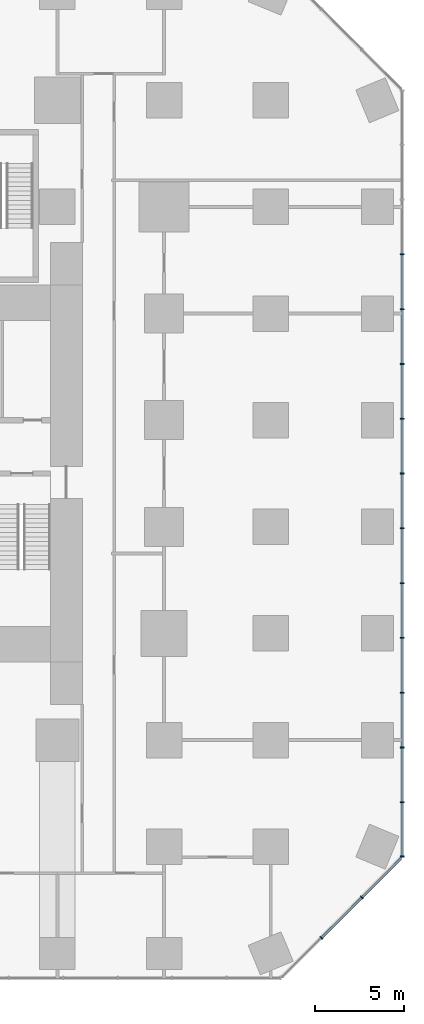
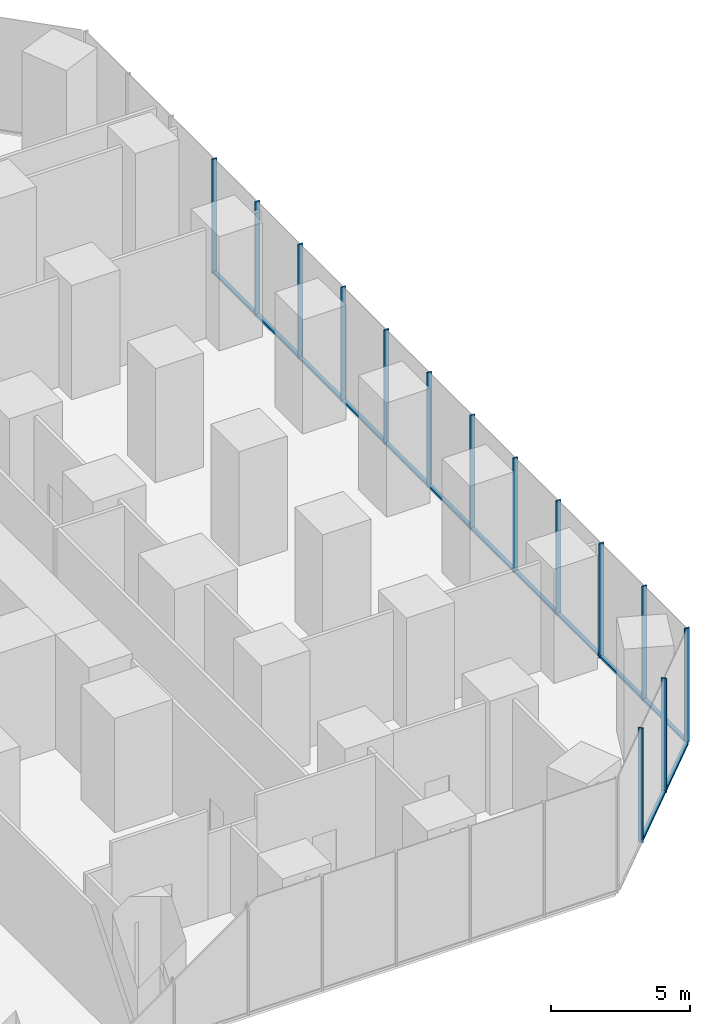
# One storey, part 7 of 15: 27 members, 2 elements without a shape of their own.
"""IFC4 building model written with IfcOpenShell, lengths in metres."""

from ifc_helpers import new_model, si_unit, direction, frame, origin, origin_2d, place, context, subcontext, project, spatial, rectangle, extrude, material, layer, layer_set, material_profile, profile_set, type_object, element, aggregate, save


model = new_model("IFC4")

# Units and contexts
model_context = context("Model", 3, precision=1e-05, world=origin(), true_north=direction((0.0, 1.0)))
body_context = subcontext(model_context, "Body", "Model", "MODEL_VIEW")
ifc_project = project(units=[si_unit("LENGTHUNIT", "METRE"), si_unit("AREAUNIT", "SQUARE_METRE"), si_unit("VOLUMEUNIT", "CUBIC_METRE"), si_unit("PLANEANGLEUNIT", "RADIAN"), si_unit("MASSUNIT", "GRAM", prefix="KILO")], contexts=[model_context])

# Site, building, storey
site_placement = place(None, origin())
site = spatial("IfcSite", under=ifc_project, at=site_placement, CompositionType="ELEMENT")
building_placement = place(site_placement, origin())
building = spatial("IfcBuilding", under=site, at=building_placement, Name="Highveld Stack Headquarters", CompositionType="ELEMENT")
storey_placement = place(building_placement, frame((0.0, 0.0, 6.0)))
storey = spatial("IfcBuildingStorey", under=building, at=storey_placement, Name="L01", CompositionType="ELEMENT", Elevation=6.0)

# Curtain wall, members
ifc_material_1 = material(Name="Aluminium bronze anodised", Category="aluminium")
ifc_layer = layer(ifc_material_1, 0.199951171875)
ifc_layer_set = layer_set([ifc_layer], Name="Aluminium bronze anodised")
curtain_wall_type = type_object("IfcCurtainWallType", Name="CW3 PODIUM STICK CURTAIN WALL", PredefinedType="NOTDEFINED", material=ifc_layer_set)
curtain_wall_1_placement = place(storey_placement, origin())
curtain_wall_1 = element("IfcCurtainWall", 1, at=curtain_wall_1_placement, inside=storey, type_object=curtain_wall_type, Name="Curtain wall CW3 L01 SE", PredefinedType="NOTDEFINED")
ifc_material_2 = material(Name="Aluminium bronze anodised", Category="aluminium")
ifc_material_profile_1 = material_profile(ifc_material_2, rectangle(XDim=0.199951171875, YDim=0.06494140625, at=origin_2d()), Name="CW3 MULLION 65x200")
ifc_profile_set_1 = profile_set([ifc_material_profile_1], Name="Aluminium bronze anodised")
member_type_1 = type_object("IfcMemberType", Name="CW3 MULLION 65x200", PredefinedType="MULLION", material=ifc_profile_set_1)
member_1_placement = place(storey_placement, frame((32.853271484375, -23.126708984375, 0.0), z_axis=(0.0, 0.0, 1.0), x_axis=(-0.707106781187, 0.707106781187, 0.0)))
member_1 = element("IfcMember", 2, at=member_1_placement, type_object=member_type_1, Name="CW3 mullion L01 1", PredefinedType="MULLION", context=body_context, shape_type="SweptSolid", body=[
    extrude(rectangle(XDim=0.199951171875, YDim=0.06494140625, at=origin_2d()), origin(), (0.0, 0.0, 1.0), 5.0),
])
member_2_placement = place(storey_placement, frame((35.126708984375, -20.853271484375, 0.0), z_axis=(0.0, 0.0, 1.0), x_axis=(-0.707106781187, 0.707106781187, 0.0)))
member_2 = element("IfcMember", 3, at=member_2_placement, type_object=member_type_1, Name="CW3 mullion L01 2", PredefinedType="MULLION", context=body_context, shape_type="SweptSolid", body=[
    extrude(rectangle(XDim=0.199951171875, YDim=0.06494140625, at=origin_2d()), origin(), (0.0, 0.0, 1.0), 5.0),
])

curtain_wall_2_placement = place(storey_placement, origin())
curtain_wall_2 = element("IfcCurtainWall", 4, at=curtain_wall_2_placement, inside=storey, type_object=curtain_wall_type, Name="Curtain wall CW3 L01 E", PredefinedType="NOTDEFINED")
member_3_placement = place(storey_placement, frame((37.39990234375, -18.54736328125, 0.0), z_axis=(0.0, 0.0, 1.0), x_axis=(-1.0, 0.0, 0.0)))
member_3 = element("IfcMember", 5, at=member_3_placement, type_object=member_type_1, Name="CW3 mullion L01 1", PredefinedType="MULLION", context=body_context, shape_type="SweptSolid", body=[
    extrude(rectangle(XDim=0.199951171875, YDim=0.06494140625, at=origin_2d()), origin(), (0.0, 0.0, 1.0), 5.0),
])
member_4_placement = place(storey_placement, frame((37.39990234375, -15.4970703125, 0.0), z_axis=(0.0, 0.0, 1.0), x_axis=(-1.0, 0.0, 0.0)))
member_4 = element("IfcMember", 6, at=member_4_placement, type_object=member_type_1, Name="CW3 mullion L01 2", PredefinedType="MULLION", context=body_context, shape_type="SweptSolid", body=[
    extrude(rectangle(XDim=0.199951171875, YDim=0.06494140625, at=origin_2d()), origin(), (0.0, 0.0, 1.0), 5.0),
])
member_5_placement = place(storey_placement, frame((37.39990234375, -12.414306640625, 0.0), z_axis=(0.0, 0.0, 1.0), x_axis=(-1.0, 0.0, 0.0)))
member_5 = element("IfcMember", 7, at=member_5_placement, type_object=member_type_1, Name="CW3 mullion L01 3", PredefinedType="MULLION", context=body_context, shape_type="SweptSolid", body=[
    extrude(rectangle(XDim=0.199951171875, YDim=0.06494140625, at=origin_2d()), origin(), (0.0, 0.0, 1.0), 5.0),
])
member_6_placement = place(storey_placement, frame((37.39990234375, -9.331298828125, 0.0), z_axis=(0.0, 0.0, 1.0), x_axis=(-1.0, 0.0, 0.0)))
member_6 = element("IfcMember", 8, at=member_6_placement, type_object=member_type_1, Name="CW3 mullion L01 4", PredefinedType="MULLION", context=body_context, shape_type="SweptSolid", body=[
    extrude(rectangle(XDim=0.199951171875, YDim=0.06494140625, at=origin_2d()), origin(), (0.0, 0.0, 1.0), 5.0),
])
member_7_placement = place(storey_placement, frame((37.39990234375, -6.24853515625, 0.0), z_axis=(0.0, 0.0, 1.0), x_axis=(-1.0, 0.0, 0.0)))
member_7 = element("IfcMember", 9, at=member_7_placement, type_object=member_type_1, Name="CW3 mullion L01 5", PredefinedType="MULLION", context=body_context, shape_type="SweptSolid", body=[
    extrude(rectangle(XDim=0.199951171875, YDim=0.06494140625, at=origin_2d()), origin(), (0.0, 0.0, 1.0), 5.0),
])
member_8_placement = place(storey_placement, frame((37.39990234375, -3.165771484375, 0.0), z_axis=(0.0, 0.0, 1.0), x_axis=(-1.0, 0.0, 0.0)))
member_8 = element("IfcMember", 10, at=member_8_placement, type_object=member_type_1, Name="CW3 mullion L01 6", PredefinedType="MULLION", context=body_context, shape_type="SweptSolid", body=[
    extrude(rectangle(XDim=0.199951171875, YDim=0.06494140625, at=origin_2d()), origin(), (0.0, 0.0, 1.0), 5.0),
])
member_9_placement = place(storey_placement, frame((37.39990234375, -0.082763671875, 0.0), z_axis=(0.0, 0.0, 1.0), x_axis=(-1.0, 0.0, 0.0)))
member_9 = element("IfcMember", 11, at=member_9_placement, type_object=member_type_1, Name="CW3 mullion L01 7", PredefinedType="MULLION", context=body_context, shape_type="SweptSolid", body=[
    extrude(rectangle(XDim=0.199951171875, YDim=0.06494140625, at=origin_2d()), origin(), (0.0, 0.0, 1.0), 5.0),
])
member_10_placement = place(storey_placement, frame((37.39990234375, 3.0, 0.0), z_axis=(0.0, 0.0, 1.0), x_axis=(-1.0, 0.0, 0.0)))
member_10 = element("IfcMember", 12, at=member_10_placement, type_object=member_type_1, Name="CW3 mullion L01 8", PredefinedType="MULLION", context=body_context, shape_type="SweptSolid", body=[
    extrude(rectangle(XDim=0.199951171875, YDim=0.06494140625, at=origin_2d()), origin(), (0.0, 0.0, 1.0), 5.0),
])
member_11_placement = place(storey_placement, frame((37.39990234375, 6.082763671875, 0.0), z_axis=(0.0, 0.0, 1.0), x_axis=(-1.0, 0.0, 0.0)))
member_11 = element("IfcMember", 13, at=member_11_placement, type_object=member_type_1, Name="CW3 mullion L01 9", PredefinedType="MULLION", context=body_context, shape_type="SweptSolid", body=[
    extrude(rectangle(XDim=0.199951171875, YDim=0.06494140625, at=origin_2d()), origin(), (0.0, 0.0, 1.0), 5.0),
])
member_12_placement = place(storey_placement, frame((37.39990234375, 9.165771484375, 0.0), z_axis=(0.0, 0.0, 1.0), x_axis=(-1.0, 0.0, 0.0)))
member_12 = element("IfcMember", 14, at=member_12_placement, type_object=member_type_1, Name="CW3 mullion L01 10", PredefinedType="MULLION", context=body_context, shape_type="SweptSolid", body=[
    extrude(rectangle(XDim=0.199951171875, YDim=0.06494140625, at=origin_2d()), origin(), (0.0, 0.0, 1.0), 5.0),
])
member_13_placement = place(storey_placement, frame((37.39990234375, 12.24853515625, 0.0), z_axis=(0.0, 0.0, 1.0), x_axis=(-1.0, 0.0, 0.0)))
member_13 = element("IfcMember", 15, at=member_13_placement, type_object=member_type_1, Name="CW3 mullion L01 11", PredefinedType="MULLION", context=body_context, shape_type="SweptSolid", body=[
    extrude(rectangle(XDim=0.199951171875, YDim=0.06494140625, at=origin_2d()), origin(), (0.0, 0.0, 1.0), 5.0),
])
member_14_placement = place(storey_placement, frame((37.39990234375, 15.331298828125, 0.0), z_axis=(0.0, 0.0, 1.0), x_axis=(-1.0, 0.0, 0.0)))
member_14 = element("IfcMember", 16, at=member_14_placement, type_object=member_type_1, Name="CW3 mullion L01 12", PredefinedType="MULLION", context=body_context, shape_type="SweptSolid", body=[
    extrude(rectangle(XDim=0.199951171875, YDim=0.06494140625, at=origin_2d()), origin(), (0.0, 0.0, 1.0), 5.0),
])

# Member
ifc_material_3 = material(Name="Aluminium bronze anodised", Category="aluminium")
ifc_material_profile_2 = material_profile(ifc_material_3, rectangle(XDim=0.14990234375, YDim=0.10009765625, at=origin_2d()), Name="CW3 TRANSOM 150x100")
ifc_profile_set_2 = profile_set([ifc_material_profile_2], Name="Aluminium bronze anodised")
member_type_2 = type_object("IfcMemberType", Name="CW3 STACK TRANSOM 150x100", PredefinedType="USERDEFINED", material=ifc_profile_set_2)
member_15_placement = place(storey_placement, frame((32.876220703125, -23.103759765625, 0.050048828125), z_axis=(0.707106781187, 0.707106781187, 0.0), x_axis=(-0.707106781187, 0.707106781187, 0.0)))
member_15 = element("IfcMember", 17, at=member_15_placement, type_object=member_type_2, Name="CW3 transom L01 2.1", ObjectType="TRANSOM", PredefinedType="USERDEFINED", context=body_context, shape_type="SweptSolid", body=[
    extrude(rectangle(XDim=0.14990234375, YDim=0.10009765625, at=origin_2d()), origin(), (0.0, 0.0, 1.0), 3.150146484375),
])

member_16_placement = place(storey_placement, frame((35.149658203125, -20.830322265625, 0.050048828125), z_axis=(0.707106781187, 0.707106781187, 0.0), x_axis=(-0.707106781187, 0.707106781187, 0.0)))
member_16 = element("IfcMember", 18, at=member_16_placement, type_object=member_type_2, Name="CW3 transom L01 3.1", ObjectType="TRANSOM", PredefinedType="USERDEFINED", context=body_context, shape_type="SweptSolid", body=[
    extrude(rectangle(XDim=0.14990234375, YDim=0.10009765625, at=origin_2d()), origin(), (0.0, 0.0, 1.0), 3.08251953125),
])

aggregate(curtain_wall_1, [member_1, member_2, member_15, member_16])

member_17_placement = place(storey_placement, frame((37.39990234375, -18.514892578125, 0.050048828125), z_axis=(0.0, 1.0, 0.0), x_axis=(-1.0, 0.0, 0.0)))
member_17 = element("IfcMember", 19, at=member_17_placement, type_object=member_type_2, Name="CW3 transom L01 1.1", ObjectType="TRANSOM", PredefinedType="USERDEFINED", context=body_context, shape_type="SweptSolid", body=[
    extrude(rectangle(XDim=0.14990234375, YDim=0.10009765625, at=origin_2d()), origin(), (0.0, 0.0, 1.0), 2.9853515625),
])

member_18_placement = place(storey_placement, frame((37.39990234375, -15.464599609375, 0.050048828125), z_axis=(0.0, 1.0, 0.0), x_axis=(-1.0, 0.0, 0.0)))
member_18 = element("IfcMember", 20, at=member_18_placement, type_object=member_type_2, Name="CW3 transom L01 2.1", ObjectType="TRANSOM", PredefinedType="USERDEFINED", context=body_context, shape_type="SweptSolid", body=[
    extrude(rectangle(XDim=0.14990234375, YDim=0.10009765625, at=origin_2d()), origin(), (0.0, 0.0, 1.0), 3.017822265625),
])

member_19_placement = place(storey_placement, frame((37.39990234375, -12.381591796875, 0.050048828125), z_axis=(0.0, 1.0, 0.0), x_axis=(-1.0, 0.0, 0.0)))
member_19 = element("IfcMember", 21, at=member_19_placement, type_object=member_type_2, Name="CW3 transom L01 3.1", ObjectType="TRANSOM", PredefinedType="USERDEFINED", context=body_context, shape_type="SweptSolid", body=[
    extrude(rectangle(XDim=0.14990234375, YDim=0.10009765625, at=origin_2d()), origin(), (0.0, 0.0, 1.0), 3.017578125),
])

member_20_placement = place(storey_placement, frame((37.39990234375, -9.298828125, 0.050048828125), z_axis=(0.0, 1.0, 0.0), x_axis=(-1.0, 0.0, 0.0)))
member_20 = element("IfcMember", 22, at=member_20_placement, type_object=member_type_2, Name="CW3 transom L01 4.1", ObjectType="TRANSOM", PredefinedType="USERDEFINED", context=body_context, shape_type="SweptSolid", body=[
    extrude(rectangle(XDim=0.14990234375, YDim=0.10009765625, at=origin_2d()), origin(), (0.0, 0.0, 1.0), 3.017822265625),
])

member_21_placement = place(storey_placement, frame((37.39990234375, -6.216064453125, 0.050048828125), z_axis=(0.0, 1.0, 0.0), x_axis=(-1.0, 0.0, 0.0)))
member_21 = element("IfcMember", 23, at=member_21_placement, type_object=member_type_2, Name="CW3 transom L01 5.1", ObjectType="TRANSOM", PredefinedType="USERDEFINED", context=body_context, shape_type="SweptSolid", body=[
    extrude(rectangle(XDim=0.14990234375, YDim=0.10009765625, at=origin_2d()), origin(), (0.0, 0.0, 1.0), 3.017822265625),
])

member_22_placement = place(storey_placement, frame((37.39990234375, -3.13330078125, 0.050048828125), z_axis=(0.0, 1.0, 0.0), x_axis=(-1.0, 0.0, 0.0)))
member_22 = element("IfcMember", 24, at=member_22_placement, type_object=member_type_2, Name="CW3 transom L01 6.1", ObjectType="TRANSOM", PredefinedType="USERDEFINED", context=body_context, shape_type="SweptSolid", body=[
    extrude(rectangle(XDim=0.14990234375, YDim=0.10009765625, at=origin_2d()), origin(), (0.0, 0.0, 1.0), 3.01806640625),
])

member_23_placement = place(storey_placement, frame((37.39990234375, -0.05029296875, 0.050048828125), z_axis=(0.0, 1.0, 0.0), x_axis=(-1.0, 0.0, 0.0)))
member_23 = element("IfcMember", 25, at=member_23_placement, type_object=member_type_2, Name="CW3 transom L01 7.1", ObjectType="TRANSOM", PredefinedType="USERDEFINED", context=body_context, shape_type="SweptSolid", body=[
    extrude(rectangle(XDim=0.14990234375, YDim=0.10009765625, at=origin_2d()), origin(), (0.0, 0.0, 1.0), 3.017822265625),
])

member_24_placement = place(storey_placement, frame((37.39990234375, 3.032470703125, 0.050048828125), z_axis=(0.0, 1.0, 0.0), x_axis=(-1.0, 0.0, 0.0)))
member_24 = element("IfcMember", 26, at=member_24_placement, type_object=member_type_2, Name="CW3 transom L01 8.1", ObjectType="TRANSOM", PredefinedType="USERDEFINED", context=body_context, shape_type="SweptSolid", body=[
    extrude(rectangle(XDim=0.14990234375, YDim=0.10009765625, at=origin_2d()), origin(), (0.0, 0.0, 1.0), 3.017822265625),
])

member_25_placement = place(storey_placement, frame((37.39990234375, 6.115234375, 0.050048828125), z_axis=(0.0, 1.0, 0.0), x_axis=(-1.0, 0.0, 0.0)))
member_25 = element("IfcMember", 27, at=member_25_placement, type_object=member_type_2, Name="CW3 transom L01 9.1", ObjectType="TRANSOM", PredefinedType="USERDEFINED", context=body_context, shape_type="SweptSolid", body=[
    extrude(rectangle(XDim=0.14990234375, YDim=0.10009765625, at=origin_2d()), origin(), (0.0, 0.0, 1.0), 3.01806640625),
])

member_26_placement = place(storey_placement, frame((37.39990234375, 9.1982421875, 0.050048828125), z_axis=(0.0, 1.0, 0.0), x_axis=(-1.0, 0.0, 0.0)))
member_26 = element("IfcMember", 28, at=member_26_placement, type_object=member_type_2, Name="CW3 transom L01 10.1", ObjectType="TRANSOM", PredefinedType="USERDEFINED", context=body_context, shape_type="SweptSolid", body=[
    extrude(rectangle(XDim=0.14990234375, YDim=0.10009765625, at=origin_2d()), origin(), (0.0, 0.0, 1.0), 3.017822265625),
])

member_27_placement = place(storey_placement, frame((37.39990234375, 12.281005859375, 0.050048828125), z_axis=(0.0, 1.0, 0.0), x_axis=(-1.0, 0.0, 0.0)))
member_27 = element("IfcMember", 29, at=member_27_placement, type_object=member_type_2, Name="CW3 transom L01 11.1", ObjectType="TRANSOM", PredefinedType="USERDEFINED", context=body_context, shape_type="SweptSolid", body=[
    extrude(rectangle(XDim=0.14990234375, YDim=0.10009765625, at=origin_2d()), origin(), (0.0, 0.0, 1.0), 3.017822265625),
])

aggregate(curtain_wall_2, [member_3, member_4, member_5, member_6, member_7, member_8, member_9, member_10, member_11, member_12, member_13, member_14, member_17, member_18, member_19, member_20, member_21, member_22, member_23, member_24, member_25, member_26, member_27])

save(model, "model.ifc")
